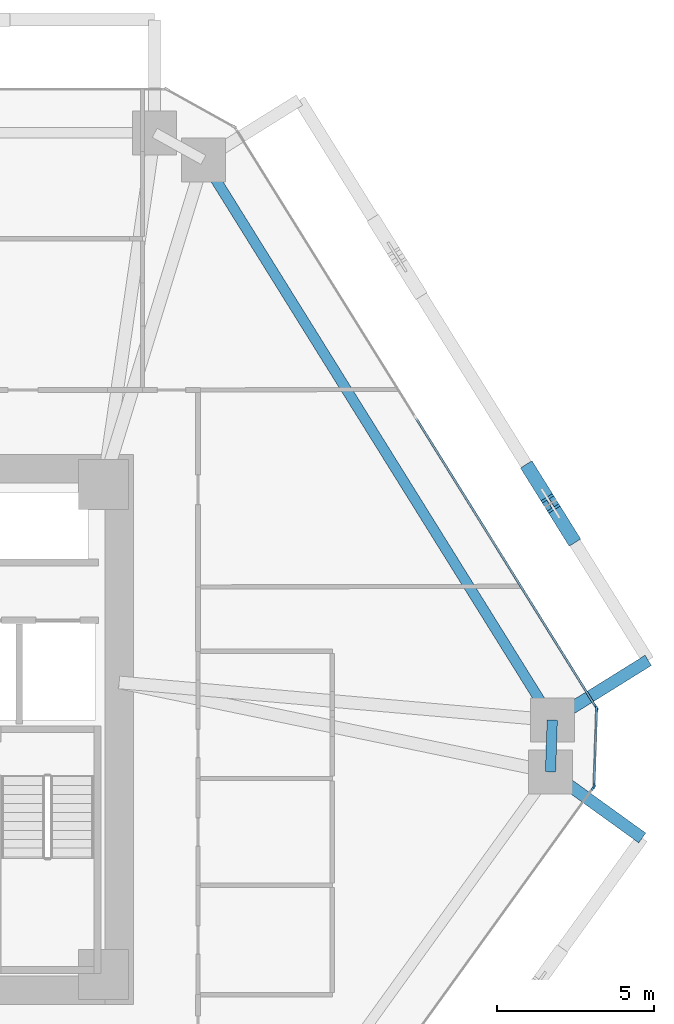
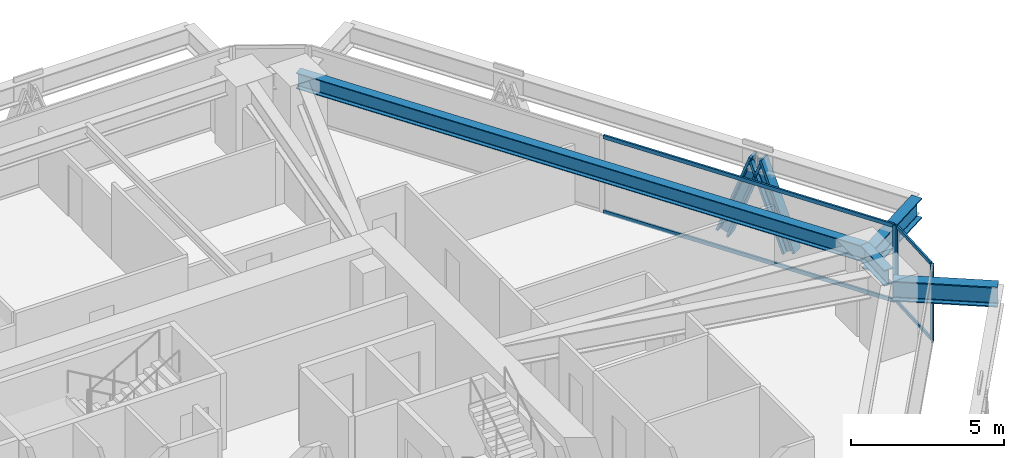
# One storey, part 6 of 17: 10 members, 4 beams, 3 elements without a shape of their own.
"""IFC4 building model written with IfcOpenShell, lengths in metres."""

from ifc_helpers import new_model, si_unit, direction, frame, origin, origin_2d, place, context, subcontext, project, spatial, rectangle, i_section, extrude, source, transform, mapped, material, layer, layer_set, material_profile, profile_set, type_object, type_shapes, element, aggregate, save


model = new_model("IFC4")

# Units and contexts
model_context = context("Model", 3, precision=1e-05, world=origin(), true_north=direction((0.0, 1.0)))
body_context = subcontext(model_context, "Body", "Model", "MODEL_VIEW")
ifc_project = project(units=[si_unit("LENGTHUNIT", "METRE"), si_unit("AREAUNIT", "SQUARE_METRE"), si_unit("VOLUMEUNIT", "CUBIC_METRE"), si_unit("PLANEANGLEUNIT", "RADIAN"), si_unit("MASSUNIT", "GRAM", prefix="KILO")], contexts=[model_context])

# Site, building, storey
site_placement = place(None, origin())
site = spatial("IfcSite", under=ifc_project, at=site_placement, CompositionType="ELEMENT")
building_placement = place(site_placement, origin())
building = spatial("IfcBuilding", under=site, at=building_placement, Name="Durnholm Broadcast Tower", CompositionType="ELEMENT")
storey_placement = place(building_placement, frame((0.0, 0.0, 39.0)))
storey = spatial("IfcBuildingStorey", under=building, at=storey_placement, Name="L08", CompositionType="ELEMENT", Elevation=39.0)

# Beams
ifc_material_1 = material(Name="Steel ASTM A992 Grade 50", Category="steel")
ifc_material_profile_1 = material_profile(ifc_material_1, i_section(OverallWidth=0.3291015625, OverallDepth=0.635009765625, WebThickness=0.017822265625, FlangeThickness=0.031005859375, FilletRadius=0.02783203125, at=origin_2d()), Name="W24X162")
ifc_profile_set_1 = profile_set([ifc_material_profile_1], Name="Steel ASTM A992 Grade 50")
beam_type_1 = type_object("IfcBeamType", Name="STL-SP-W24X162", PredefinedType="SPANDREL", material=ifc_profile_set_1)
shared_shape_1 = source(origin(), body_context, "Body", "SweptSolid", [
    extrude(i_section(OverallWidth=0.3291015625, OverallDepth=0.635009765625, WebThickness=0.017822265625, FlangeThickness=0.031005859375, FilletRadius=0.02783203125, at=origin_2d()), origin(), (0.0, 0.0, 1.0), 21.014404296875),
])
beam_1_placement = place(storey_placement, frame((12.982666015625, 18.138427734375, 2.7275390625), z_axis=(0.528595731543, -0.848873696491, 0.0), x_axis=(0.848873696491, 0.528595731543, 0.0)))
element("IfcBeam", 1, at=beam_1_placement, inside=storey, type_object=beam_type_1, Name="L08 perimeter spandrel girder 07", PredefinedType="SPANDREL", context=body_context, shape_type="MappedRepresentation", body=[
    mapped(shared_shape_1, transform((0.0, 0.0, 0.0), x_axis=(1.0, 0.0, 0.0), y_axis=(0.0, 1.0, 0.0), z_axis=(0.0, 0.0, 1.0), scale=1.0)),
])
shared_shape_2 = source(origin(), body_context, "Body", "SweptSolid", [
    extrude(i_section(OverallWidth=0.3291015625, OverallDepth=0.635009765625, WebThickness=0.017822265625, FlangeThickness=0.031005859375, FilletRadius=0.02783203125, at=origin_2d()), origin(), (0.0, 0.0, 1.0), 1.648193359375),
])
type_shapes(beam_type_1, [shared_shape_1, shared_shape_2])
beam_2_placement = place(storey_placement, frame((24.0908203125, 0.2998046875, 2.7275390625), z_axis=(-0.033921477804, -0.999424501072, 0.0), x_axis=(0.999424501072, -0.033921477804, 0.0)))
element("IfcBeam", 2, at=beam_2_placement, inside=storey, type_object=beam_type_1, Name="L08 perimeter spandrel girder 08", PredefinedType="SPANDREL", context=body_context, shape_type="MappedRepresentation", body=[
    mapped(shared_shape_2, transform((0.0, 0.0, 0.0), x_axis=(1.0, 0.0, 0.0), y_axis=(0.0, 1.0, 0.0), z_axis=(0.0, 0.0, 1.0), scale=1.0)),
])
ifc_material_profile_2 = material_profile(ifc_material_1, i_section(OverallWidth=0.385009765625, OverallDepth=0.802978515625, WebThickness=0.023681640625, FlangeThickness=0.0419921875, FilletRadius=0.032958984375, at=origin_2d()), Name="W30X261")
ifc_profile_set_2 = profile_set([ifc_material_profile_2], Name="Steel ASTM A992 Grade 50")
beam_type_2 = type_object("IfcBeamType", Name="BM-EXO-TIE", PredefinedType="USERDEFINED", material=ifc_profile_set_2)
shared_shape_3 = source(origin(), body_context, "Body", "SweptSolid", [
    extrude(i_section(OverallWidth=0.385009765625, OverallDepth=0.802978515625, WebThickness=0.023681640625, FlangeThickness=0.0419921875, FilletRadius=0.032958984375, at=origin_2d()), origin(), (0.0, 0.0, 1.0), 3.4560546875),
])
beam_3_placement = place(storey_placement, frame((24.212890625, 0.375732421875, 2.30859375), z_axis=(0.848874183218, 0.528594949906, 0.0), x_axis=(-0.528594949906, 0.848874183218, 0.0)))
element("IfcBeam", 3, at=beam_3_placement, inside=storey, type_object=beam_type_2, Name="L08 exoskeleton stand-off tie bracket F3.1", ObjectType="GIRDER", PredefinedType="USERDEFINED", context=body_context, shape_type="MappedRepresentation", body=[
    mapped(shared_shape_3, transform((0.0, 0.0, 0.0), x_axis=(1.0, 0.0, 0.0), y_axis=(0.0, 1.0, 0.0), z_axis=(0.0, 0.0, 1.0), scale=1.0)),
])
shared_shape_4 = source(origin(), body_context, "Body", "SweptSolid", [
    extrude(i_section(OverallWidth=0.385009765625, OverallDepth=0.802978515625, WebThickness=0.023681640625, FlangeThickness=0.0419921875, FilletRadius=0.032958984375, at=origin_2d()), origin(), (0.0, 0.0, 1.0), 3.455810546875),
])
type_shapes(beam_type_2, [shared_shape_3, shared_shape_4])
beam_4_placement = place(storey_placement, frame((24.15185546875, -1.431396484375, 2.30859375), z_axis=(0.811133512552, -0.584861030344, 0.0), x_axis=(0.584861030344, 0.811133512552, 0.0)))
element("IfcBeam", 4, at=beam_4_placement, inside=storey, type_object=beam_type_2, Name="L08 exoskeleton stand-off tie bracket F2.2", ObjectType="GIRDER", PredefinedType="USERDEFINED", context=body_context, shape_type="MappedRepresentation", body=[
    mapped(shared_shape_4, transform((0.0, 0.0, 0.0), x_axis=(1.0, 0.0, 0.0), y_axis=(0.0, 1.0, 0.0), z_axis=(0.0, 0.0, 1.0), scale=1.0)),
])

# Members
ifc_material_2 = material(Name="Steel ASTM A913 Grade 65", Category="steel")
ifc_material_profile_3 = material_profile(ifc_material_2, i_section(OverallWidth=0.43212890625, OverallDepth=0.497802734375, WebThickness=0.0556640625, FlangeThickness=0.0888671875, FilletRadius=0.030517578125, at=origin_2d()), Name="W14X500")
ifc_profile_set_3 = profile_set([ifc_material_profile_3], Name="Steel ASTM A913 Grade 65")
member_type_1 = type_object("IfcMemberType", Name="STL-DG-W14X500", PredefinedType="BRACE", material=ifc_profile_set_3)
shared_shape_5 = source(origin(), body_context, "Body", "SweptSolid", [
    extrude(i_section(OverallWidth=0.43212890625, OverallDepth=0.497802734375, WebThickness=0.0556640625, FlangeThickness=0.0888671875, FilletRadius=0.030517578125, at=origin_2d()), origin(), (0.0, 0.0, 1.0), 3.523193359375),
])
type_shapes(member_type_1, [shared_shape_5])
for number, where, z_axis, x_axis, name in (
    (5, (24.688720703125, 6.150146484375, -0.991455078125), (-0.185157304084, 0.297277258428, 0.936665897941), (-0.848819847179, -0.528682198523, 0.0), "L08 stand-off diagrid brace F3.D1.1"),
    (6, (23.38427734375, 8.244873046875, -0.991455078125), (0.185090383068, -0.297281072018, 0.936677913861), (0.848908635391, 0.528539618911, 0.0), "L08 stand-off diagrid brace F3.D1.2"),
):
    element("IfcMember", number, at=place(storey_placement, frame(where, z_axis=z_axis, x_axis=x_axis)), inside=storey, type_object=member_type_1, Name=name, PredefinedType="BRACE", context=body_context, shape_type="MappedRepresentation", body=[
        mapped(shared_shape_5, transform((0.0, 0.0, 0.0), x_axis=(1.0, 0.0, 0.0), y_axis=(0.0, 1.0, 0.0), z_axis=(0.0, 0.0, 1.0), scale=1.0)),
    ])

# Curtain wall, members
ifc_material_3 = material(Name="Aluminium and Solar Control IGU", Category="aluminium")
ifc_layer_1 = layer(ifc_material_3, 0.1650390625)
ifc_layer_set_1 = layer_set([ifc_layer_1], Name="Aluminium and Solar Control IGU")
curtain_wall_type_1 = type_object("IfcCurtainWallType", Name="CW-SYS-5", PredefinedType="NOTDEFINED", material=ifc_layer_set_1)
curtain_wall_1_placement = place(storey_placement, origin())
curtain_wall_1 = element("IfcCurtainWall", 7, at=curtain_wall_1_placement, inside=storey, type_object=curtain_wall_type_1, Name="L08 curtain wall CW-CORNER CW-L08-CRN-07", PredefinedType="NOTDEFINED")
ifc_material_4 = material(Name="Aluminium 6063-T6", Category="aluminium")
ifc_material_profile_4 = material_profile(ifc_material_4, rectangle(XDim=0.06494140625, YDim=0.1650390625, at=origin_2d()), Name="CWM65X165")
ifc_profile_set_4 = profile_set([ifc_material_profile_4], Name="Aluminium 6063-T6")
member_type_2 = type_object("IfcMemberType", Name="CW-SYS-5-MUL", PredefinedType="MULLION", material=ifc_profile_set_4)
shared_shape_6 = source(origin(), body_context, "Body", "SweptSolid", [
    extrude(rectangle(XDim=0.06494140625, YDim=0.1650390625, at=origin_2d()), origin(), (0.0, 0.0, 1.0), 3.06005859375),
])
type_shapes(member_type_2, [shared_shape_6])
member_1_placement = place(storey_placement, frame((25.50341796875, 0.6455078125, 0.0), z_axis=(0.0, 0.0, 1.0), x_axis=(0.999427277772, -0.033839569233, 0.0)))
member_1 = element("IfcMember", 8, at=member_1_placement, type_object=member_type_2, Name="CW-CORNER mullion 1", PredefinedType="MULLION", context=body_context, shape_type="MappedRepresentation", body=[
    mapped(shared_shape_6, transform((0.0, 0.0, 0.0), x_axis=(1.0, 0.0, 0.0), y_axis=(0.0, 1.0, 0.0), z_axis=(0.0, 0.0, 1.0), scale=1.0)),
])
member_2_placement = place(storey_placement, frame((25.4208984375, -1.7880859375, 0.0), z_axis=(0.0, 0.0, 1.0), x_axis=(0.999427277772, -0.033839569233, 0.0)))
member_2 = element("IfcMember", 9, at=member_2_placement, type_object=member_type_2, Name="CW-CORNER mullion 2", PredefinedType="MULLION", context=body_context, shape_type="MappedRepresentation", body=[
    mapped(shared_shape_6, transform((0.0, 0.0, 0.0), x_axis=(1.0, 0.0, 0.0), y_axis=(0.0, 1.0, 0.0), z_axis=(0.0, 0.0, 1.0), scale=1.0)),
])
ifc_material_profile_5 = material_profile(ifc_material_4, rectangle(XDim=0.06494140625, YDim=0.1298828125, at=origin_2d()), Name="CWT65X130")
ifc_profile_set_5 = profile_set([ifc_material_profile_5], Name="Aluminium 6063-T6")
member_type_3 = type_object("IfcMemberType", Name="CW-SYS-5-TRN", PredefinedType="USERDEFINED", material=ifc_profile_set_5)
shared_shape_7 = source(origin(), body_context, "Body", "SweptSolid", [
    extrude(rectangle(XDim=0.06494140625, YDim=0.1298828125, at=origin_2d()), origin(), (0.0, 0.0, 1.0), 2.3701171875),
])
type_shapes(member_type_3, [shared_shape_7])
member_3_placement = place(storey_placement, frame((25.502197265625, 0.613037109375, 0.032470703125), z_axis=(-0.033788158898, -0.999429017148, 0.0), x_axis=(0.999429017148, -0.033788158898, 0.0)))
member_3 = element("IfcMember", 10, at=member_3_placement, type_object=member_type_3, Name="CW-CORNER transom 1.1", ObjectType="TRANSOM", PredefinedType="USERDEFINED", context=body_context, shape_type="MappedRepresentation", body=[
    mapped(shared_shape_7, transform((0.0, 0.0, 0.0), x_axis=(1.0, 0.0, 0.0), y_axis=(0.0, 1.0, 0.0), z_axis=(0.0, 0.0, 1.0), scale=1.0)),
])
member_4_placement = place(storey_placement, frame((25.502197265625, 0.613037109375, 3.027587890625), z_axis=(-0.033788158898, -0.999429017148, 0.0), x_axis=(0.999429017148, -0.033788158898, 0.0)))
member_4 = element("IfcMember", 11, at=member_4_placement, type_object=member_type_3, Name="CW-CORNER transom 1.2", ObjectType="TRANSOM", PredefinedType="USERDEFINED", context=body_context, shape_type="MappedRepresentation", body=[
    mapped(shared_shape_7, transform((0.0, 0.0, 0.0), x_axis=(1.0, 0.0, 0.0), y_axis=(0.0, 1.0, 0.0), z_axis=(0.0, 0.0, 1.0), scale=1.0)),
])
aggregate(curtain_wall_1, [member_1, member_2, member_3, member_4])

# Curtain wall, member
ifc_layer_2 = layer(ifc_material_3, 0.18994140625)
ifc_layer_set_2 = layer_set([ifc_layer_2], Name="Aluminium and Solar Control IGU")
curtain_wall_type_2 = type_object("IfcCurtainWallType", Name="CW-SYS-3", PredefinedType="NOTDEFINED", material=ifc_layer_set_2)
curtain_wall_2_placement = place(storey_placement, origin())
curtain_wall_2 = element("IfcCurtainWall", 12, at=curtain_wall_2_placement, inside=storey, type_object=curtain_wall_type_2, Name="L08 curtain wall CW-Z12-VIS CW-L08-F06", PredefinedType="NOTDEFINED")
ifc_material_profile_6 = material_profile(ifc_material_4, rectangle(XDim=0.070068359375, YDim=0.18994140625, at=origin_2d()), Name="CWM70X190")
ifc_profile_set_6 = profile_set([ifc_material_profile_6], Name="Aluminium 6063-T6")
member_type_4 = type_object("IfcMemberType", Name="CW-SYS-3-MUL", PredefinedType="MULLION", material=ifc_profile_set_6)
shared_shape_8 = source(origin(), body_context, "Body", "SweptSolid", [
    extrude(rectangle(XDim=0.070068359375, YDim=0.18994140625, at=origin_2d()), origin(), (0.0, 0.0, 1.0), 3.06005859375),
])
type_shapes(member_type_4, [shared_shape_8])
member_5_placement = place(storey_placement, frame((25.48583984375, 0.707763671875, 0.0), z_axis=(0.0, 0.0, 1.0), x_axis=(0.848875785503, 0.528592376777, 0.0)))
member_5 = element("IfcMember", 13, at=member_5_placement, type_object=member_type_4, Name="CW-Z12-VIS mullion 3", PredefinedType="MULLION", context=body_context, shape_type="MappedRepresentation", body=[
    mapped(shared_shape_8, transform((0.0, 0.0, 0.0), x_axis=(1.0, 0.0, 0.0), y_axis=(0.0, 1.0, 0.0), z_axis=(0.0, 0.0, 1.0), scale=1.0)),
])

curtain_wall_3_placement = place(storey_placement, origin())
curtain_wall_3 = element("IfcCurtainWall", 14, at=curtain_wall_3_placement, inside=storey, type_object=curtain_wall_type_2, Name="L08 curtain wall CW-Z12-VIS CW-L08-F08", PredefinedType="NOTDEFINED")
member_6_placement = place(storey_placement, frame((25.3994140625, -1.848876953125, 0.0), z_axis=(0.0, 0.0, 1.0), x_axis=(0.81116057493, -0.584823496176, 0.0)))
member_6 = element("IfcMember", 15, at=member_6_placement, type_object=member_type_4, Name="CW-Z12-VIS mullion 1", PredefinedType="MULLION", context=body_context, shape_type="MappedRepresentation", body=[
    mapped(shared_shape_8, transform((0.0, 0.0, 0.0), x_axis=(1.0, 0.0, 0.0), y_axis=(0.0, 1.0, 0.0), z_axis=(0.0, 0.0, 1.0), scale=1.0)),
])
aggregate(curtain_wall_3, [member_6])

# Member
ifc_material_profile_7 = material_profile(ifc_material_4, rectangle(XDim=0.070068359375, YDim=0.14990234375, at=origin_2d()), Name="CWT70X150")
ifc_profile_set_7 = profile_set([ifc_material_profile_7], Name="Aluminium 6063-T6")
member_type_5 = type_object("IfcMemberType", Name="CW-SYS-3-TRN", PredefinedType="USERDEFINED", material=ifc_profile_set_7)
shared_shape_9 = source(origin(), body_context, "Body", "SweptSolid", [
    extrude(rectangle(XDim=0.070068359375, YDim=0.14990234375, at=origin_2d()), origin(), (0.0, 0.0, 1.0), 10.796630859375),
])
type_shapes(member_type_5, [shared_shape_9])
member_7_placement = place(storey_placement, frame((19.760498046875, 9.902587890625, 0.034912109375), z_axis=(0.528575362968, -0.848886379714, 0.0), x_axis=(0.848886379714, 0.528575362968, 0.0)))
member_7 = element("IfcMember", 16, at=member_7_placement, type_object=member_type_5, Name="CW-Z12-VIS transom 2.1", ObjectType="TRANSOM", PredefinedType="USERDEFINED", context=body_context, shape_type="MappedRepresentation", body=[
    mapped(shared_shape_9, transform((0.0, 0.0, 0.0), x_axis=(1.0, 0.0, 0.0), y_axis=(0.0, 1.0, 0.0), z_axis=(0.0, 0.0, 1.0), scale=1.0)),
])

member_8_placement = place(storey_placement, frame((19.760498046875, 9.902587890625, 3.02490234375), z_axis=(0.528575362968, -0.848886379714, 0.0), x_axis=(0.848886379714, 0.528575362968, 0.0)))
member_8 = element("IfcMember", 17, at=member_8_placement, type_object=member_type_5, Name="CW-Z12-VIS transom 2.2", ObjectType="TRANSOM", PredefinedType="USERDEFINED", context=body_context, shape_type="MappedRepresentation", body=[
    mapped(shared_shape_9, transform((0.0, 0.0, 0.0), x_axis=(1.0, 0.0, 0.0), y_axis=(0.0, 1.0, 0.0), z_axis=(0.0, 0.0, 1.0), scale=1.0)),
])

aggregate(curtain_wall_2, [member_5, member_7, member_8])

save(model, "model.ifc")
